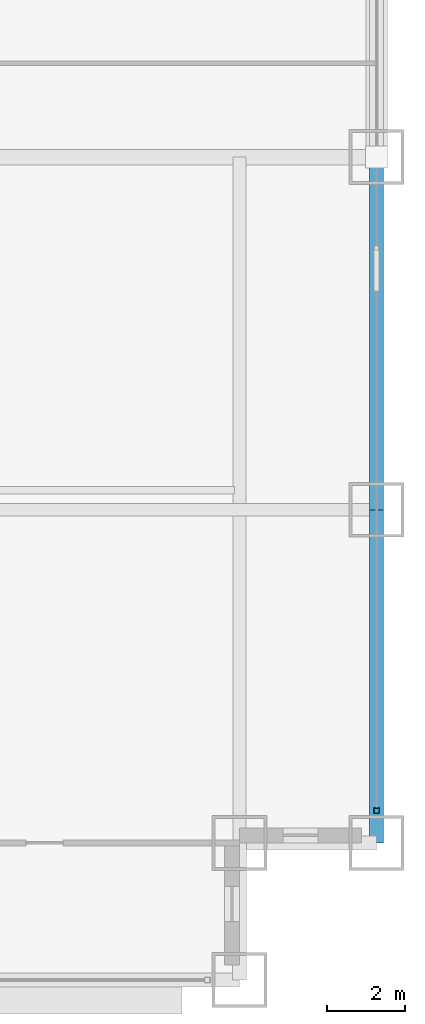
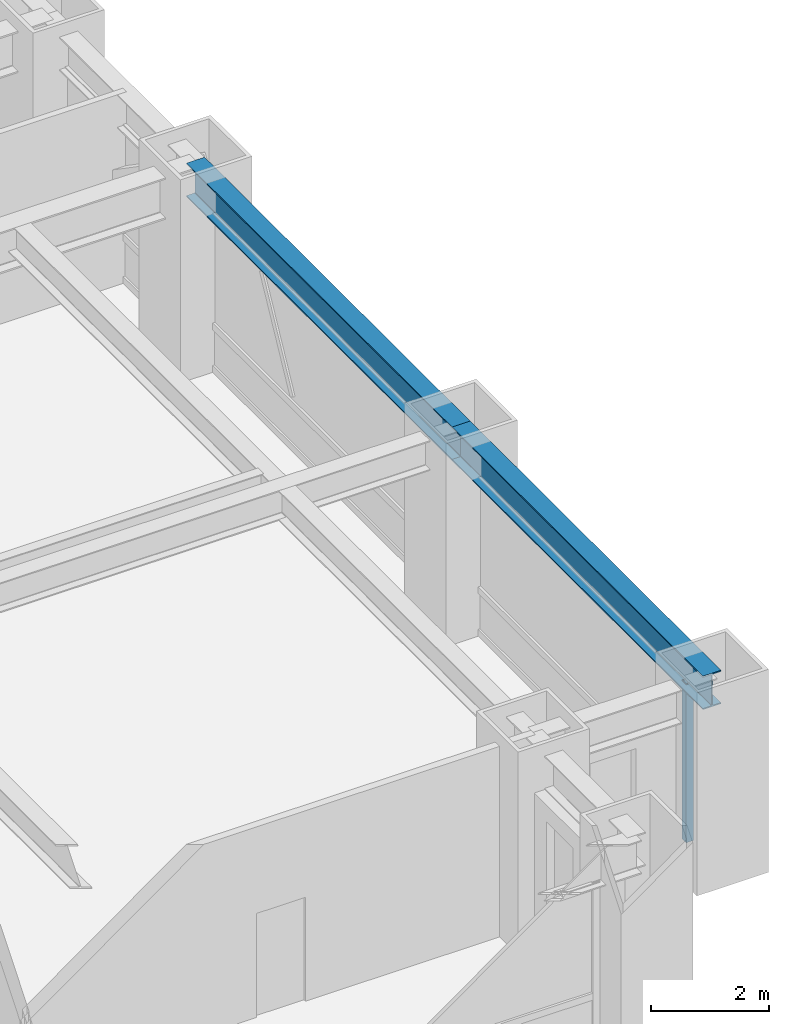
# One storey, part 12 of 32: 2 beams, 1 member, 1 element without a shape of its own.
"""IFC4 building model written with IfcOpenShell, lengths in metres."""

from ifc_helpers import new_model, si_unit, direction, frame, origin, origin_2d, place, context, subcontext, project, spatial, hollow_rectangle, i_section, extrude, source, transform, mapped, material, material_profile, profile_set, type_object, element, aggregate, save


model = new_model("IFC4")

# Units and contexts
model_context = context("Model", 3, precision=1e-05, world=origin(), true_north=direction((0.0, 1.0)))
body_context = subcontext(model_context, "Body", "Model", "MODEL_VIEW")
ifc_project = project(units=[si_unit("LENGTHUNIT", "METRE"), si_unit("AREAUNIT", "SQUARE_METRE"), si_unit("VOLUMEUNIT", "CUBIC_METRE"), si_unit("PLANEANGLEUNIT", "RADIAN"), si_unit("MASSUNIT", "GRAM", prefix="KILO")], contexts=[model_context])

# Site, building, storey
site_placement = place(None, origin())
site = spatial("IfcSite", under=ifc_project, at=site_placement, CompositionType="ELEMENT")
building_placement = place(site_placement, origin())
building = spatial("IfcBuilding", under=site, at=building_placement, Name="Khorayat Bourse Tower", CompositionType="ELEMENT")
storey_placement = place(building_placement, frame((0.0, 0.0, 74.60009765625)))
storey = spatial("IfcBuildingStorey", under=building, at=storey_placement, Name="L16", CompositionType="ELEMENT", Elevation=74.60009765625)

# Beams
ifc_material_1 = material(Name="Steel ASTM A992 Grade 50", Category="steel")
ifc_material_profile_1 = material_profile(ifc_material_1, i_section(OverallWidth=0.35498046875, OverallDepth=0.695068359375, WebThickness=0.015380859375, FlangeThickness=0.02490234375, FilletRadius=0.01806640625, at=origin_2d()), Name="W690X217")
ifc_profile_set_1 = profile_set([ifc_material_profile_1], Name="Steel ASTM A992 Grade 50")
beam_type = type_object("IfcBeamType", Name="BM-SPAN-690", PredefinedType="SPANDREL", material=ifc_profile_set_1)
shared_shape_1 = source(origin(), body_context, "Body", "SweptSolid", [
    extrude(i_section(OverallWidth=0.35498046875, OverallDepth=0.695068359375, WebThickness=0.015380859375, FlangeThickness=0.02490234375, FilletRadius=0.01806640625, at=origin_2d()), origin(), (0.0, 0.0, 1.0), 8.5),
])
beam_1_placement = place(storey_placement, frame((32.0, -28.5, 3.59228515625), z_axis=(0.0, 1.0, 0.0), x_axis=(-1.0, 0.0, 0.0)))
element("IfcBeam", 1, at=beam_1_placement, inside=storey, type_object=beam_type, Name="L16 BM-SPAN-690 BM-L16-SPN-034", PredefinedType="SPANDREL", context=body_context, shape_type="MappedRepresentation", body=[
    mapped(shared_shape_1, transform((0.0, 0.0, 0.0), scale=1.0)),
])
shared_shape_2 = source(origin(), body_context, "Body", "SweptSolid", [
    extrude(i_section(OverallWidth=0.35498046875, OverallDepth=0.695068359375, WebThickness=0.015380859375, FlangeThickness=0.02490234375, FilletRadius=0.01806640625, at=origin_2d()), origin(), (0.0, 0.0, 1.0), 9.0),
])
beam_2_placement = place(storey_placement, frame((32.0, -20.0, 3.59228515625), z_axis=(0.0, 1.0, 0.0), x_axis=(-1.0, 0.0, 0.0)))
element("IfcBeam", 2, at=beam_2_placement, inside=storey, type_object=beam_type, Name="L16 BM-SPAN-690 BM-L16-SPN-035", PredefinedType="SPANDREL", context=body_context, shape_type="MappedRepresentation", body=[
    mapped(shared_shape_2, transform((0.0, 0.0, 0.0), scale=1.0)),
])

# Curtain wall, member
ifc_material_2 = material(Name="Aluminium EN AW-6063 T6", Category="aluminium")
curtain_wall_type = type_object("IfcCurtainWallType", Name="CW-SYS-02", PredefinedType="NOTDEFINED", material=ifc_material_2)
curtain_wall_placement = place(storey_placement, origin())
curtain_wall = element("IfcCurtainWall", 3, at=curtain_wall_placement, inside=storey, type_object=curtain_wall_type, Name="L16 Curtain Wall CW-L16-E1", PredefinedType="NOTDEFINED")
ifc_material_profile_2 = material_profile(ifc_material_2, hollow_rectangle(XDim=0.139892578125, YDim=0.139892578125, WallThickness=0.006103515625, at=origin_2d()), Name="ALU 140x140x6")
ifc_profile_set_2 = profile_set([ifc_material_profile_2], Name="Aluminium EN AW-6063 T6")
member_type = type_object("IfcMemberType", Name="CWM-VERT-140", PredefinedType="MULLION", material=ifc_profile_set_2)
shared_shape_3 = source(origin(), body_context, "Body", "SweptSolid", [
    extrude(hollow_rectangle(XDim=0.139892578125, YDim=0.139892578125, WallThickness=0.006103515625, at=origin_2d()), origin(), (0.0, 0.0, 1.0), 3.289794921875),
])
member_placement = place(storey_placement, frame((32.0, -27.679931640625, 0.0), z_axis=(0.0, 0.0, 1.0), x_axis=(-1.0, 0.0, 0.0)))
member = element("IfcMember", 4, at=member_placement, type_object=member_type, Name="CW-L16-E1 Vertical Mullion 1", PredefinedType="MULLION", context=body_context, shape_type="MappedRepresentation", body=[
    mapped(shared_shape_3, transform((0.0, 0.0, 0.0), scale=1.0)),
])
aggregate(curtain_wall, [member])

save(model, "model.ifc")
